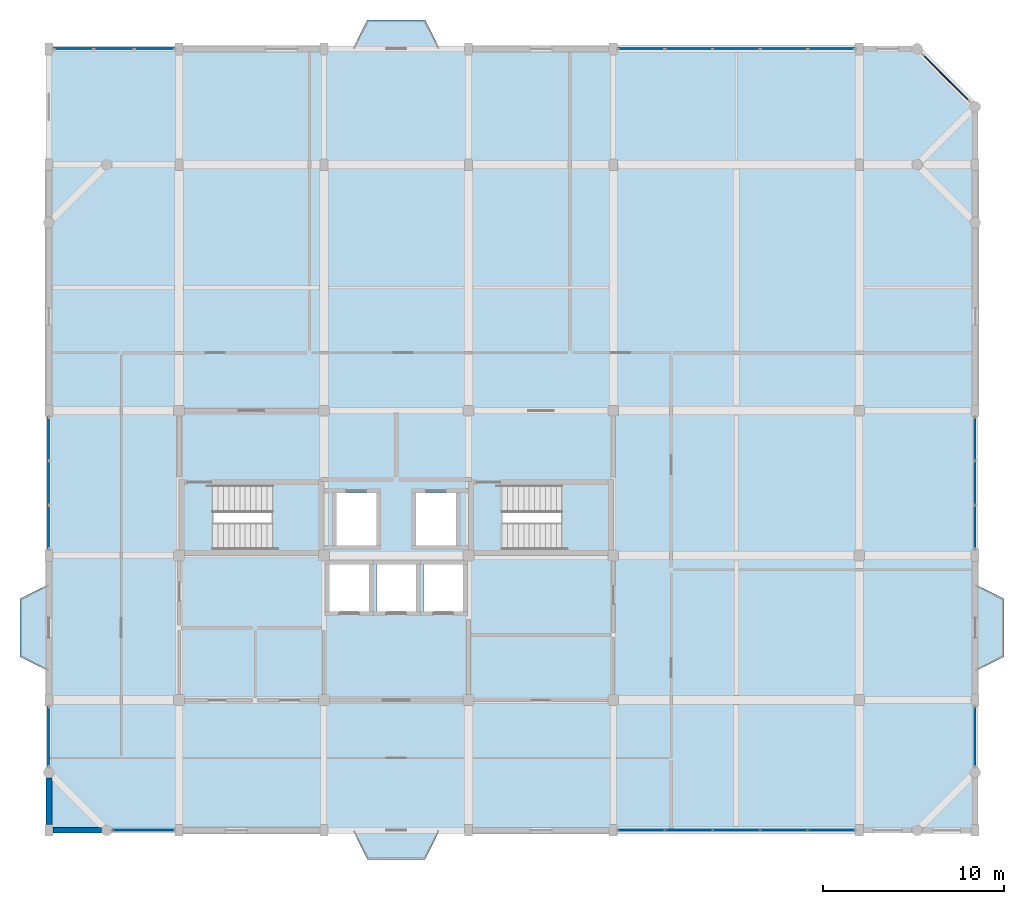
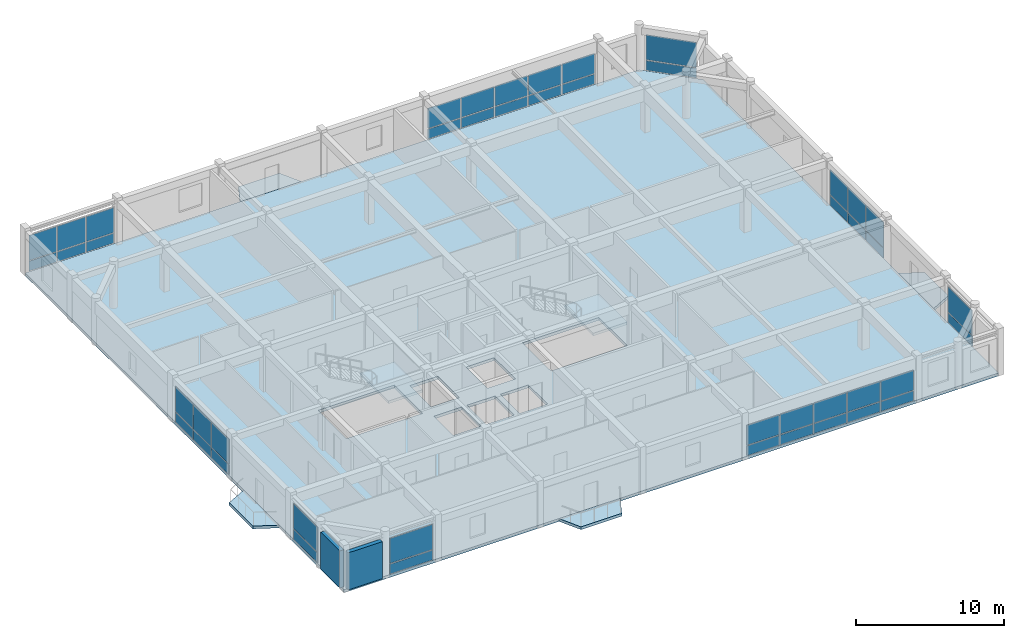
# One storey, part 9 of 13: 46 plates, 7 slabs, 2 walls, 11 elements without a shape of their own.
"""IFC4 building model written with IfcOpenShell, lengths in metres."""

from ifc_helpers import new_model, si_unit, direction, frame, frame_2d, origin, origin_2d, place, context, subcontext, project, spatial, polyline, rectangle, outline, extrude, material, layer, layer_set, type_object, element, aggregate, save


model = new_model("IFC4")

# Units and contexts
model_context = context("Model", 3, precision=1e-05, world=origin(), true_north=direction((0.0, 1.0)))
body_context = subcontext(model_context, "Body", "Model", "MODEL_VIEW")
ifc_project = project(units=[si_unit("LENGTHUNIT", "METRE"), si_unit("AREAUNIT", "SQUARE_METRE"), si_unit("VOLUMEUNIT", "CUBIC_METRE"), si_unit("PLANEANGLEUNIT", "RADIAN"), si_unit("MASSUNIT", "GRAM", prefix="KILO")], contexts=[model_context])

# Site, building, storey
site_placement = place(None, origin())
site = spatial("IfcSite", under=ifc_project, at=site_placement, CompositionType="ELEMENT")
building_placement = place(site_placement, origin())
building = spatial("IfcBuilding", under=site, at=building_placement, Name="Vellmiral Cinema and Media Centre", CompositionType="ELEMENT")
storey_placement = place(building_placement, frame((0.0, 0.0, 54.800048828125)))
storey = spatial("IfcBuildingStorey", under=building, at=storey_placement, Name="L13", CompositionType="ELEMENT", Elevation=54.800048828125)

# Curtain wall, plates
ifc_material_1 = material(Name="Thermally Broken Aluminium and Triple Glazing", Category="aluminium")
curtain_wall_type_1 = type_object("IfcCurtainWallType", Name="CW-TOWER-MID-W", PredefinedType="USERDEFINED", material=ifc_material_1)
curtain_wall_1_placement = place(storey_placement, origin())
curtain_wall_1 = element("IfcCurtainWall", 1, at=curtain_wall_1_placement, inside=storey, type_object=curtain_wall_type_1, Name="Curtain Wall L13-B018", ObjectType="UNITISED CURTAIN WALL", PredefinedType="USERDEFINED")
ifc_material_2 = material(Name="Laminated Studio Acoustic Glazing", Category="glass")
ifc_layer_1 = layer(ifc_material_2, 0.0439453125, Name="Laminated Studio Acoustic Glazing")
ifc_layer_set_1 = layer_set([ifc_layer_1], Name="Laminated Studio Acoustic Glazing")
plate_type_1 = type_object("IfcPlateType", Name="CWP-ACOUST-44", PredefinedType="CURTAIN_PANEL", material=ifc_layer_set_1)
plate_1_placement = place(storey_placement, frame((160.043701171875, 115.199951171875, 0.932373046875), z_axis=(0.0, 0.0, 1.0), x_axis=(-1.0, 0.0, 0.0)))
plate_1 = element("IfcPlate", 2, at=plate_1_placement, type_object=plate_type_1, Name="CW-08 panel 1.2", PredefinedType="CURTAIN_PANEL", context=body_context, shape_type="SweptSolid", body=[
    extrude(rectangle(XDim=2.532470703125, YDim=0.0439453125, at=origin_2d()), origin(), (0.0, 0.0, 1.0), 1.6474609375),
])
plate_2_placement = place(storey_placement, frame((157.429931640625, 115.199951171875, 0.932373046875), z_axis=(0.0, 0.0, 1.0), x_axis=(-1.0, 0.0, 0.0)))
plate_2 = element("IfcPlate", 3, at=plate_2_placement, type_object=plate_type_1, Name="CW-08 panel 2.2", PredefinedType="CURTAIN_PANEL", context=body_context, shape_type="SweptSolid", body=[
    extrude(rectangle(XDim=2.56494140625, YDim=0.0439453125, at=origin_2d()), origin(), (0.0, 0.0, 1.0), 1.6474609375),
])
plate_3_placement = place(storey_placement, frame((154.800048828125, 115.199951171875, 0.932373046875), z_axis=(0.0, 0.0, 1.0), x_axis=(-1.0, 0.0, 0.0)))
plate_3 = element("IfcPlate", 4, at=plate_3_placement, type_object=plate_type_1, Name="CW-08 panel 3.2", PredefinedType="CURTAIN_PANEL", context=body_context, shape_type="SweptSolid", body=[
    extrude(rectangle(XDim=2.56494140625, YDim=0.0439453125, at=origin_2d()), origin(), (0.0, 0.0, 1.0), 1.6474609375),
])
plate_4_placement = place(storey_placement, frame((152.169921875, 115.199951171875, 0.932373046875), z_axis=(0.0, 0.0, 1.0), x_axis=(-1.0, 0.0, 0.0)))
plate_4 = element("IfcPlate", 5, at=plate_4_placement, type_object=plate_type_1, Name="CW-08 panel 4.2", PredefinedType="CURTAIN_PANEL", context=body_context, shape_type="SweptSolid", body=[
    extrude(rectangle(XDim=2.56494140625, YDim=0.0439453125, at=origin_2d()), origin(), (0.0, 0.0, 1.0), 1.6474609375),
])
plate_5_placement = place(storey_placement, frame((149.55615234375, 115.199951171875, 0.932373046875), z_axis=(0.0, 0.0, 1.0), x_axis=(-1.0, 0.0, 0.0)))
plate_5 = element("IfcPlate", 6, at=plate_5_placement, type_object=plate_type_1, Name="CW-08 panel 5.2", PredefinedType="CURTAIN_PANEL", context=body_context, shape_type="SweptSolid", body=[
    extrude(rectangle(XDim=2.532470703125, YDim=0.0439453125, at=origin_2d()), origin(), (0.0, 0.0, 1.0), 1.6474609375),
])

curtain_wall_2_placement = place(storey_placement, origin())
curtain_wall_2 = element("IfcCurtainWall", 7, at=curtain_wall_2_placement, inside=storey, type_object=curtain_wall_type_1, Name="Curtain Wall L13-B022", ObjectType="UNITISED CURTAIN WALL", PredefinedType="USERDEFINED")
plate_6_placement = place(storey_placement, frame((122.6337890625, 115.199951171875, 0.932373046875), z_axis=(0.0, 0.0, 1.0), x_axis=(-1.0, 0.0, 0.0)))
plate_6 = element("IfcPlate", 8, at=plate_6_placement, type_object=plate_type_1, Name="CW-08 panel 1.2", PredefinedType="CURTAIN_PANEL", context=body_context, shape_type="SweptSolid", body=[
    extrude(rectangle(XDim=2.152587890625, YDim=0.0439453125, at=origin_2d()), origin(), (0.0, 0.0, 1.0), 2.0625),
])
plate_7_placement = place(storey_placement, frame((120.39990234375, 115.199951171875, 0.932373046875), z_axis=(0.0, 0.0, 1.0), x_axis=(-1.0, 0.0, 0.0)))
plate_7 = element("IfcPlate", 9, at=plate_7_placement, type_object=plate_type_1, Name="CW-08 panel 2.2", PredefinedType="CURTAIN_PANEL", context=body_context, shape_type="SweptSolid", body=[
    extrude(rectangle(XDim=2.18505859375, YDim=0.0439453125, at=origin_2d()), origin(), (0.0, 0.0, 1.0), 2.0625),
])
plate_8_placement = place(storey_placement, frame((118.166259765625, 115.199951171875, 0.932373046875), z_axis=(0.0, 0.0, 1.0), x_axis=(-1.0, 0.0, 0.0)))
plate_8 = element("IfcPlate", 10, at=plate_8_placement, type_object=plate_type_1, Name="CW-08 panel 3.2", PredefinedType="CURTAIN_PANEL", context=body_context, shape_type="SweptSolid", body=[
    extrude(rectangle(XDim=2.152587890625, YDim=0.0439453125, at=origin_2d()), origin(), (0.0, 0.0, 1.0), 2.0625),
])

curtain_wall_3_placement = place(storey_placement, origin())
curtain_wall_3 = element("IfcCurtainWall", 11, at=curtain_wall_3_placement, inside=storey, type_object=curtain_wall_type_1, Name="Curtain Wall L13-B026", ObjectType="UNITISED CURTAIN WALL", PredefinedType="USERDEFINED")
plate_9_placement = place(storey_placement, frame((116.800048828125, 93.6337890625, 0.932373046875), z_axis=(0.0, 0.0, 1.0), x_axis=(0.0, -1.0, 0.0)))
plate_9 = element("IfcPlate", 12, at=plate_9_placement, type_object=plate_type_1, Name="CW-08 panel 1.2", PredefinedType="CURTAIN_PANEL", context=body_context, shape_type="SweptSolid", body=[
    extrude(rectangle(XDim=2.3525390625, YDim=0.0439453125, at=origin_2d()), origin(), (0.0, 0.0, 1.0), 2.0625),
])
plate_10_placement = place(storey_placement, frame((116.800048828125, 91.199951171875, 0.932373046875), z_axis=(0.0, 0.0, 1.0), x_axis=(0.0, -1.0, 0.0)))
plate_10 = element("IfcPlate", 13, at=plate_10_placement, type_object=plate_type_1, Name="CW-08 panel 2.2", PredefinedType="CURTAIN_PANEL", context=body_context, shape_type="SweptSolid", body=[
    extrude(rectangle(XDim=2.385009765625, YDim=0.0439453125, at=origin_2d()), origin(), (0.0, 0.0, 1.0), 2.0625),
])
plate_11_placement = place(storey_placement, frame((116.800048828125, 88.766357421875, 0.932373046875), z_axis=(0.0, 0.0, 1.0), x_axis=(0.0, -1.0, 0.0)))
plate_11 = element("IfcPlate", 14, at=plate_11_placement, type_object=plate_type_1, Name="CW-08 panel 3.2", PredefinedType="CURTAIN_PANEL", context=body_context, shape_type="SweptSolid", body=[
    extrude(rectangle(XDim=2.3525390625, YDim=0.0439453125, at=origin_2d()), origin(), (0.0, 0.0, 1.0), 2.0625),
])

# Curtain wall, plate
curtain_wall_4_placement = place(storey_placement, origin())
curtain_wall_4 = element("IfcCurtainWall", 15, at=curtain_wall_4_placement, inside=storey, type_object=curtain_wall_type_1, Name="Curtain Wall L13-B028", ObjectType="UNITISED CURTAIN WALL", PredefinedType="USERDEFINED")
plate_12_placement = place(storey_placement, frame((116.800048828125, 77.1875, 0.932373046875), z_axis=(0.0, 0.0, 1.0), x_axis=(0.0, -1.0, 0.0)))
plate_12 = element("IfcPlate", 16, at=plate_12_placement, type_object=plate_type_1, Name="CW-08 panel 1.2", PredefinedType="CURTAIN_PANEL", context=body_context, shape_type="SweptSolid", body=[
    extrude(rectangle(XDim=3.2451171875, YDim=0.0439453125, at=origin_2d()), origin(), (0.0, 0.0, 1.0), 2.0625),
])

ifc_material_3 = material(Name="Thermally Broken Aluminium and Triple Glazing", Category="aluminium")
curtain_wall_type_2 = type_object("IfcCurtainWallType", Name="CW-TOWER-MID-E", PredefinedType="USERDEFINED", material=ifc_material_3)
curtain_wall_5_placement = place(storey_placement, origin())
curtain_wall_5 = element("IfcCurtainWall", 17, at=curtain_wall_5_placement, inside=storey, type_object=curtain_wall_type_2, Name="Curtain Wall L13-B002", ObjectType="UNITISED CURTAIN WALL", PredefinedType="USERDEFINED")
ifc_material_4 = material(Name="Honed Vosges Sandstone Spandrel Panel", Category="masonry")
ifc_layer_2 = layer(ifc_material_4, 0.06005859375, Name="Honed Vosges Sandstone Spandrel Panel")
ifc_layer_set_2 = layer_set([ifc_layer_2], Name="Honed Vosges Sandstone Spandrel Panel")
plate_type_2 = type_object("IfcPlateType", Name="CWP-SAND-60", PredefinedType="CURTAIN_PANEL", material=ifc_layer_set_2)
plate_13_placement = place(storey_placement, frame((122.03759765625, 72.0, 0.06494140625), z_axis=(0.0, 0.0, 1.0), x_axis=(1.0, 0.0, 0.0)))
plate_13 = element("IfcPlate", 18, at=plate_13_placement, type_object=plate_type_2, Name="CW-07 panel 1.1", PredefinedType="CURTAIN_PANEL", context=body_context, shape_type="SweptSolid", body=[
    extrude(rectangle(XDim=3.344970703125, YDim=0.06005859375, at=origin_2d()), origin(), (0.0, 0.0, 1.0), 0.802490234375),
])

# Curtain wall, plates
curtain_wall_6_placement = place(storey_placement, origin())
curtain_wall_6 = element("IfcCurtainWall", 19, at=curtain_wall_6_placement, inside=storey, type_object=curtain_wall_type_2, Name="Curtain Wall L13-B006", ObjectType="UNITISED CURTAIN WALL", PredefinedType="USERDEFINED")
plate_14_placement = place(storey_placement, frame((149.55615234375, 72.0, 0.06494140625), z_axis=(0.0, 0.0, 1.0), x_axis=(1.0, 0.0, 0.0)))
plate_14 = element("IfcPlate", 20, at=plate_14_placement, type_object=plate_type_2, Name="CW-07 panel 1.1", PredefinedType="CURTAIN_PANEL", context=body_context, shape_type="SweptSolid", body=[
    extrude(rectangle(XDim=2.532470703125, YDim=0.06005859375, at=origin_2d()), origin(), (0.0, 0.0, 1.0), 0.802490234375),
])
plate_15_placement = place(storey_placement, frame((152.169921875, 72.0, 0.06494140625), z_axis=(0.0, 0.0, 1.0), x_axis=(1.0, 0.0, 0.0)))
plate_15 = element("IfcPlate", 21, at=plate_15_placement, type_object=plate_type_2, Name="CW-07 panel 2.1", PredefinedType="CURTAIN_PANEL", context=body_context, shape_type="SweptSolid", body=[
    extrude(rectangle(XDim=2.56494140625, YDim=0.06005859375, at=origin_2d()), origin(), (0.0, 0.0, 1.0), 0.802490234375),
])
plate_16_placement = place(storey_placement, frame((154.800048828125, 72.0, 0.06494140625), z_axis=(0.0, 0.0, 1.0), x_axis=(1.0, 0.0, 0.0)))
plate_16 = element("IfcPlate", 22, at=plate_16_placement, type_object=plate_type_2, Name="CW-07 panel 3.1", PredefinedType="CURTAIN_PANEL", context=body_context, shape_type="SweptSolid", body=[
    extrude(rectangle(XDim=2.56494140625, YDim=0.06005859375, at=origin_2d()), origin(), (0.0, 0.0, 1.0), 0.802490234375),
])
plate_17_placement = place(storey_placement, frame((157.429931640625, 72.0, 0.06494140625), z_axis=(0.0, 0.0, 1.0), x_axis=(1.0, 0.0, 0.0)))
plate_17 = element("IfcPlate", 23, at=plate_17_placement, type_object=plate_type_2, Name="CW-07 panel 4.1", PredefinedType="CURTAIN_PANEL", context=body_context, shape_type="SweptSolid", body=[
    extrude(rectangle(XDim=2.56494140625, YDim=0.06005859375, at=origin_2d()), origin(), (0.0, 0.0, 1.0), 0.802490234375),
])
plate_18_placement = place(storey_placement, frame((160.043701171875, 72.0, 0.06494140625), z_axis=(0.0, 0.0, 1.0), x_axis=(1.0, 0.0, 0.0)))
plate_18 = element("IfcPlate", 24, at=plate_18_placement, type_object=plate_type_2, Name="CW-07 panel 5.1", PredefinedType="CURTAIN_PANEL", context=body_context, shape_type="SweptSolid", body=[
    extrude(rectangle(XDim=2.532470703125, YDim=0.06005859375, at=origin_2d()), origin(), (0.0, 0.0, 1.0), 0.802490234375),
])

# Curtain wall, plate
curtain_wall_7_placement = place(storey_placement, origin())
curtain_wall_7 = element("IfcCurtainWall", 25, at=curtain_wall_7_placement, inside=storey, type_object=curtain_wall_type_2, Name="Curtain Wall L13-B010", ObjectType="UNITISED CURTAIN WALL", PredefinedType="USERDEFINED")
plate_19_placement = place(storey_placement, frame((168.0, 77.1875, 0.06494140625), z_axis=(0.0, 0.0, 1.0), x_axis=(0.0, 1.0, 0.0)))
plate_19 = element("IfcPlate", 26, at=plate_19_placement, type_object=plate_type_2, Name="CW-07 panel 1.1", PredefinedType="CURTAIN_PANEL", context=body_context, shape_type="SweptSolid", body=[
    extrude(rectangle(XDim=3.2451171875, YDim=0.06005859375, at=origin_2d()), origin(), (0.0, 0.0, 1.0), 0.802490234375),
])

# Curtain wall, plates
curtain_wall_8_placement = place(storey_placement, origin())
curtain_wall_8 = element("IfcCurtainWall", 27, at=curtain_wall_8_placement, inside=storey, type_object=curtain_wall_type_2, Name="Curtain Wall L13-B012", ObjectType="UNITISED CURTAIN WALL", PredefinedType="USERDEFINED")
plate_20_placement = place(storey_placement, frame((168.0, 88.766357421875, 0.06494140625), z_axis=(0.0, 0.0, 1.0), x_axis=(0.0, 1.0, 0.0)))
plate_20 = element("IfcPlate", 28, at=plate_20_placement, type_object=plate_type_2, Name="CW-07 panel 1.1", PredefinedType="CURTAIN_PANEL", context=body_context, shape_type="SweptSolid", body=[
    extrude(rectangle(XDim=2.3525390625, YDim=0.06005859375, at=origin_2d()), origin(), (0.0, 0.0, 1.0), 0.802490234375),
])
plate_21_placement = place(storey_placement, frame((168.0, 91.199951171875, 0.06494140625), z_axis=(0.0, 0.0, 1.0), x_axis=(0.0, 1.0, 0.0)))
plate_21 = element("IfcPlate", 29, at=plate_21_placement, type_object=plate_type_2, Name="CW-07 panel 2.1", PredefinedType="CURTAIN_PANEL", context=body_context, shape_type="SweptSolid", body=[
    extrude(rectangle(XDim=2.385009765625, YDim=0.06005859375, at=origin_2d()), origin(), (0.0, 0.0, 1.0), 0.802490234375),
])
plate_22_placement = place(storey_placement, frame((168.0, 93.6337890625, 0.06494140625), z_axis=(0.0, 0.0, 1.0), x_axis=(0.0, 1.0, 0.0)))
plate_22 = element("IfcPlate", 30, at=plate_22_placement, type_object=plate_type_2, Name="CW-07 panel 3.1", PredefinedType="CURTAIN_PANEL", context=body_context, shape_type="SweptSolid", body=[
    extrude(rectangle(XDim=2.3525390625, YDim=0.06005859375, at=origin_2d()), origin(), (0.0, 0.0, 1.0), 0.802490234375),
])

# Curtain wall, plate
curtain_wall_9_placement = place(storey_placement, origin())
curtain_wall_9 = element("IfcCurtainWall", 31, at=curtain_wall_9_placement, inside=storey, type_object=curtain_wall_type_2, Name="Curtain Wall L13-B016", ObjectType="UNITISED CURTAIN WALL", PredefinedType="USERDEFINED")
plate_23_placement = place(storey_placement, frame((166.39990234375, 113.60009765625, 0.06494140625), z_axis=(0.0, 0.0, 1.0), x_axis=(-0.707106781187, 0.707106781187, 0.0)))
plate_23 = element("IfcPlate", 32, at=plate_23_placement, type_object=plate_type_2, Name="CW-07 panel 1.1", PredefinedType="CURTAIN_PANEL", context=body_context, shape_type="SweptSolid", body=[
    extrude(rectangle(XDim=3.546875, YDim=0.06005859375, at=origin_2d()), origin(), (0.0, 0.0, 1.0), 0.802490234375),
])

# Plate
ifc_material_5 = material(Name="Solar-Control Acoustic Triple Glazing", Category="glass")
ifc_layer_3 = layer(ifc_material_5, 0.0419921875, Name="Solar-Control Acoustic Triple Glazing")
ifc_layer_set_3 = layer_set([ifc_layer_3], Name="Solar-Control Acoustic Triple Glazing")
plate_type_3 = type_object("IfcPlateType", Name="CWP-SOLAR-42", PredefinedType="CURTAIN_PANEL", material=ifc_layer_set_3)
plate_24_placement = place(storey_placement, frame((122.03759765625, 72.0, 0.932373046875), z_axis=(0.0, 0.0, 1.0), x_axis=(1.0, 0.0, 0.0)))
plate_24 = element("IfcPlate", 33, at=plate_24_placement, type_object=plate_type_3, Name="CW-07 panel 1.2", PredefinedType="CURTAIN_PANEL", context=body_context, shape_type="SweptSolid", body=[
    extrude(rectangle(XDim=3.344970703125, YDim=0.0419921875, at=origin_2d()), origin(), (0.0, 0.0, 1.0), 2.0625),
])

aggregate(curtain_wall_5, [plate_13, plate_24])

plate_25_placement = place(storey_placement, frame((149.55615234375, 72.0, 0.932373046875), z_axis=(0.0, 0.0, 1.0), x_axis=(1.0, 0.0, 0.0)))
plate_25 = element("IfcPlate", 34, at=plate_25_placement, type_object=plate_type_3, Name="CW-07 panel 1.2", PredefinedType="CURTAIN_PANEL", context=body_context, shape_type="SweptSolid", body=[
    extrude(rectangle(XDim=2.532470703125, YDim=0.0419921875, at=origin_2d()), origin(), (0.0, 0.0, 1.0), 1.6474609375),
])

plate_26_placement = place(storey_placement, frame((152.169921875, 72.0, 0.932373046875), z_axis=(0.0, 0.0, 1.0), x_axis=(1.0, 0.0, 0.0)))
plate_26 = element("IfcPlate", 35, at=plate_26_placement, type_object=plate_type_3, Name="CW-07 panel 2.2", PredefinedType="CURTAIN_PANEL", context=body_context, shape_type="SweptSolid", body=[
    extrude(rectangle(XDim=2.56494140625, YDim=0.0419921875, at=origin_2d()), origin(), (0.0, 0.0, 1.0), 1.6474609375),
])

plate_27_placement = place(storey_placement, frame((154.800048828125, 72.0, 0.932373046875), z_axis=(0.0, 0.0, 1.0), x_axis=(1.0, 0.0, 0.0)))
plate_27 = element("IfcPlate", 36, at=plate_27_placement, type_object=plate_type_3, Name="CW-07 panel 3.2", PredefinedType="CURTAIN_PANEL", context=body_context, shape_type="SweptSolid", body=[
    extrude(rectangle(XDim=2.56494140625, YDim=0.0419921875, at=origin_2d()), origin(), (0.0, 0.0, 1.0), 1.6474609375),
])

plate_28_placement = place(storey_placement, frame((157.429931640625, 72.0, 0.932373046875), z_axis=(0.0, 0.0, 1.0), x_axis=(1.0, 0.0, 0.0)))
plate_28 = element("IfcPlate", 37, at=plate_28_placement, type_object=plate_type_3, Name="CW-07 panel 4.2", PredefinedType="CURTAIN_PANEL", context=body_context, shape_type="SweptSolid", body=[
    extrude(rectangle(XDim=2.56494140625, YDim=0.0419921875, at=origin_2d()), origin(), (0.0, 0.0, 1.0), 1.6474609375),
])

plate_29_placement = place(storey_placement, frame((160.043701171875, 72.0, 0.932373046875), z_axis=(0.0, 0.0, 1.0), x_axis=(1.0, 0.0, 0.0)))
plate_29 = element("IfcPlate", 38, at=plate_29_placement, type_object=plate_type_3, Name="CW-07 panel 5.2", PredefinedType="CURTAIN_PANEL", context=body_context, shape_type="SweptSolid", body=[
    extrude(rectangle(XDim=2.532470703125, YDim=0.0419921875, at=origin_2d()), origin(), (0.0, 0.0, 1.0), 1.6474609375),
])

aggregate(curtain_wall_6, [plate_14, plate_25, plate_15, plate_26, plate_16, plate_27, plate_17, plate_28, plate_18, plate_29])

plate_30_placement = place(storey_placement, frame((168.0, 77.1875, 0.932373046875), z_axis=(0.0, 0.0, 1.0), x_axis=(0.0, 1.0, 0.0)))
plate_30 = element("IfcPlate", 39, at=plate_30_placement, type_object=plate_type_3, Name="CW-07 panel 1.2", PredefinedType="CURTAIN_PANEL", context=body_context, shape_type="SweptSolid", body=[
    extrude(rectangle(XDim=3.2451171875, YDim=0.0419921875, at=origin_2d()), origin(), (0.0, 0.0, 1.0), 2.0625),
])

aggregate(curtain_wall_7, [plate_19, plate_30])

plate_31_placement = place(storey_placement, frame((168.0, 88.766357421875, 0.932373046875), z_axis=(0.0, 0.0, 1.0), x_axis=(0.0, 1.0, 0.0)))
plate_31 = element("IfcPlate", 40, at=plate_31_placement, type_object=plate_type_3, Name="CW-07 panel 1.2", PredefinedType="CURTAIN_PANEL", context=body_context, shape_type="SweptSolid", body=[
    extrude(rectangle(XDim=2.3525390625, YDim=0.0419921875, at=origin_2d()), origin(), (0.0, 0.0, 1.0), 2.0625),
])

plate_32_placement = place(storey_placement, frame((168.0, 91.199951171875, 0.932373046875), z_axis=(0.0, 0.0, 1.0), x_axis=(0.0, 1.0, 0.0)))
plate_32 = element("IfcPlate", 41, at=plate_32_placement, type_object=plate_type_3, Name="CW-07 panel 2.2", PredefinedType="CURTAIN_PANEL", context=body_context, shape_type="SweptSolid", body=[
    extrude(rectangle(XDim=2.385009765625, YDim=0.0419921875, at=origin_2d()), origin(), (0.0, 0.0, 1.0), 2.0625),
])

plate_33_placement = place(storey_placement, frame((168.0, 93.6337890625, 0.932373046875), z_axis=(0.0, 0.0, 1.0), x_axis=(0.0, 1.0, 0.0)))
plate_33 = element("IfcPlate", 42, at=plate_33_placement, type_object=plate_type_3, Name="CW-07 panel 3.2", PredefinedType="CURTAIN_PANEL", context=body_context, shape_type="SweptSolid", body=[
    extrude(rectangle(XDim=2.3525390625, YDim=0.0419921875, at=origin_2d()), origin(), (0.0, 0.0, 1.0), 2.0625),
])

aggregate(curtain_wall_8, [plate_20, plate_31, plate_21, plate_32, plate_22, plate_33])

plate_34_placement = place(storey_placement, frame((166.39990234375, 113.60009765625, 0.932373046875), z_axis=(0.0, 0.0, 1.0), x_axis=(-0.707106781187, 0.707106781187, 0.0)))
plate_34 = element("IfcPlate", 43, at=plate_34_placement, type_object=plate_type_3, Name="CW-07 panel 1.2", PredefinedType="CURTAIN_PANEL", context=body_context, shape_type="SweptSolid", body=[
    extrude(rectangle(XDim=3.546875, YDim=0.0419921875, at=origin_2d()), origin(), (0.0, 0.0, 1.0), 2.0625),
])

aggregate(curtain_wall_9, [plate_23, plate_34])

ifc_material_6 = material(Name="Polychrome Trencadis Ceramic Spandrel Panel", Category="ceramic")
ifc_layer_4 = layer(ifc_material_6, 0.052001953125, Name="Polychrome Trencadis Ceramic Spandrel Panel")
ifc_layer_set_4 = layer_set([ifc_layer_4], Name="Polychrome Trencadis Ceramic Spandrel Panel")
plate_type_4 = type_object("IfcPlateType", Name="CWP-TRENC-52", PredefinedType="CURTAIN_PANEL", material=ifc_layer_set_4)
plate_35_placement = place(storey_placement, frame((160.043701171875, 115.199951171875, 0.06494140625), z_axis=(0.0, 0.0, 1.0), x_axis=(-1.0, 0.0, 0.0)))
plate_35 = element("IfcPlate", 44, at=plate_35_placement, type_object=plate_type_4, Name="CW-08 panel 1.1", PredefinedType="CURTAIN_PANEL", context=body_context, shape_type="SweptSolid", body=[
    extrude(rectangle(XDim=2.532470703125, YDim=0.052001953125, at=origin_2d()), origin(), (0.0, 0.0, 1.0), 0.802490234375),
])

plate_36_placement = place(storey_placement, frame((157.429931640625, 115.199951171875, 0.06494140625), z_axis=(0.0, 0.0, 1.0), x_axis=(-1.0, 0.0, 0.0)))
plate_36 = element("IfcPlate", 45, at=plate_36_placement, type_object=plate_type_4, Name="CW-08 panel 2.1", PredefinedType="CURTAIN_PANEL", context=body_context, shape_type="SweptSolid", body=[
    extrude(rectangle(XDim=2.56494140625, YDim=0.052001953125, at=origin_2d()), origin(), (0.0, 0.0, 1.0), 0.802490234375),
])

plate_37_placement = place(storey_placement, frame((154.800048828125, 115.199951171875, 0.06494140625), z_axis=(0.0, 0.0, 1.0), x_axis=(-1.0, 0.0, 0.0)))
plate_37 = element("IfcPlate", 46, at=plate_37_placement, type_object=plate_type_4, Name="CW-08 panel 3.1", PredefinedType="CURTAIN_PANEL", context=body_context, shape_type="SweptSolid", body=[
    extrude(rectangle(XDim=2.56494140625, YDim=0.052001953125, at=origin_2d()), origin(), (0.0, 0.0, 1.0), 0.802490234375),
])

plate_38_placement = place(storey_placement, frame((152.169921875, 115.199951171875, 0.06494140625), z_axis=(0.0, 0.0, 1.0), x_axis=(-1.0, 0.0, 0.0)))
plate_38 = element("IfcPlate", 47, at=plate_38_placement, type_object=plate_type_4, Name="CW-08 panel 4.1", PredefinedType="CURTAIN_PANEL", context=body_context, shape_type="SweptSolid", body=[
    extrude(rectangle(XDim=2.56494140625, YDim=0.052001953125, at=origin_2d()), origin(), (0.0, 0.0, 1.0), 0.802490234375),
])

plate_39_placement = place(storey_placement, frame((149.55615234375, 115.199951171875, 0.06494140625), z_axis=(0.0, 0.0, 1.0), x_axis=(-1.0, 0.0, 0.0)))
plate_39 = element("IfcPlate", 48, at=plate_39_placement, type_object=plate_type_4, Name="CW-08 panel 5.1", PredefinedType="CURTAIN_PANEL", context=body_context, shape_type="SweptSolid", body=[
    extrude(rectangle(XDim=2.532470703125, YDim=0.052001953125, at=origin_2d()), origin(), (0.0, 0.0, 1.0), 0.802490234375),
])

aggregate(curtain_wall_1, [plate_35, plate_1, plate_36, plate_2, plate_37, plate_3, plate_38, plate_4, plate_39, plate_5])

plate_40_placement = place(storey_placement, frame((122.6337890625, 115.199951171875, 0.06494140625), z_axis=(0.0, 0.0, 1.0), x_axis=(-1.0, 0.0, 0.0)))
plate_40 = element("IfcPlate", 49, at=plate_40_placement, type_object=plate_type_4, Name="CW-08 panel 1.1", PredefinedType="CURTAIN_PANEL", context=body_context, shape_type="SweptSolid", body=[
    extrude(rectangle(XDim=2.152587890625, YDim=0.052001953125, at=origin_2d()), origin(), (0.0, 0.0, 1.0), 0.802490234375),
])

plate_41_placement = place(storey_placement, frame((120.39990234375, 115.199951171875, 0.06494140625), z_axis=(0.0, 0.0, 1.0), x_axis=(-1.0, 0.0, 0.0)))
plate_41 = element("IfcPlate", 50, at=plate_41_placement, type_object=plate_type_4, Name="CW-08 panel 2.1", PredefinedType="CURTAIN_PANEL", context=body_context, shape_type="SweptSolid", body=[
    extrude(rectangle(XDim=2.18505859375, YDim=0.052001953125, at=origin_2d()), origin(), (0.0, 0.0, 1.0), 0.802490234375),
])

plate_42_placement = place(storey_placement, frame((118.166259765625, 115.199951171875, 0.06494140625), z_axis=(0.0, 0.0, 1.0), x_axis=(-1.0, 0.0, 0.0)))
plate_42 = element("IfcPlate", 51, at=plate_42_placement, type_object=plate_type_4, Name="CW-08 panel 3.1", PredefinedType="CURTAIN_PANEL", context=body_context, shape_type="SweptSolid", body=[
    extrude(rectangle(XDim=2.152587890625, YDim=0.052001953125, at=origin_2d()), origin(), (0.0, 0.0, 1.0), 0.802490234375),
])

aggregate(curtain_wall_2, [plate_40, plate_6, plate_41, plate_7, plate_42, plate_8])

plate_43_placement = place(storey_placement, frame((116.800048828125, 93.6337890625, 0.06494140625), z_axis=(0.0, 0.0, 1.0), x_axis=(0.0, -1.0, 0.0)))
plate_43 = element("IfcPlate", 52, at=plate_43_placement, type_object=plate_type_4, Name="CW-08 panel 1.1", PredefinedType="CURTAIN_PANEL", context=body_context, shape_type="SweptSolid", body=[
    extrude(rectangle(XDim=2.3525390625, YDim=0.052001953125, at=origin_2d()), origin(), (0.0, 0.0, 1.0), 0.802490234375),
])

plate_44_placement = place(storey_placement, frame((116.800048828125, 91.199951171875, 0.06494140625), z_axis=(0.0, 0.0, 1.0), x_axis=(0.0, -1.0, 0.0)))
plate_44 = element("IfcPlate", 53, at=plate_44_placement, type_object=plate_type_4, Name="CW-08 panel 2.1", PredefinedType="CURTAIN_PANEL", context=body_context, shape_type="SweptSolid", body=[
    extrude(rectangle(XDim=2.385009765625, YDim=0.052001953125, at=origin_2d()), origin(), (0.0, 0.0, 1.0), 0.802490234375),
])

plate_45_placement = place(storey_placement, frame((116.800048828125, 88.766357421875, 0.06494140625), z_axis=(0.0, 0.0, 1.0), x_axis=(0.0, -1.0, 0.0)))
plate_45 = element("IfcPlate", 54, at=plate_45_placement, type_object=plate_type_4, Name="CW-08 panel 3.1", PredefinedType="CURTAIN_PANEL", context=body_context, shape_type="SweptSolid", body=[
    extrude(rectangle(XDim=2.3525390625, YDim=0.052001953125, at=origin_2d()), origin(), (0.0, 0.0, 1.0), 0.802490234375),
])

aggregate(curtain_wall_3, [plate_43, plate_9, plate_44, plate_10, plate_45, plate_11])

plate_46_placement = place(storey_placement, frame((116.800048828125, 77.1875, 0.06494140625), z_axis=(0.0, 0.0, 1.0), x_axis=(0.0, -1.0, 0.0)))
plate_46 = element("IfcPlate", 55, at=plate_46_placement, type_object=plate_type_4, Name="CW-08 panel 1.1", PredefinedType="CURTAIN_PANEL", context=body_context, shape_type="SweptSolid", body=[
    extrude(rectangle(XDim=3.2451171875, YDim=0.052001953125, at=origin_2d()), origin(), (0.0, 0.0, 1.0), 0.802490234375),
])

aggregate(curtain_wall_4, [plate_46, plate_12])

# Slab
ifc_material_7 = material(Name="Concrete C40/50", Category="concrete")
ifc_layer_5 = layer(ifc_material_7, 0.239990234375, Name="Concrete C40/50")
ifc_layer_set_5 = layer_set([ifc_layer_5], Name="Concrete C40/50")
slab_type_1 = type_object("IfcSlabType", Name="SLB-FLR-240", PredefinedType="FLOOR", material=ifc_layer_set_5)
slab_1_placement = place(storey_placement, frame((0.0, 0.0, -0.239990234375)))
element("IfcSlab", 56, at=slab_1_placement, inside=storey, type_object=slab_type_1, Name="L13 Structural Slab", PredefinedType="FLOOR", context=body_context, shape_type="SweptSolid", body=[
    extrude(outline(polyline([(116.800048828125, 72.0), (168.0, 72.0), (168.0, 112.0), (164.800048828125, 115.199951171875), (116.800048828125, 115.199951171875), (116.800048828125, 72.0)]), holes=[polyline([(125.85009765625, 87.3798828125), (131.820068359375, 87.3798828125), (131.820068359375, 91.219970703125), (125.85009765625, 91.219970703125), (125.85009765625, 87.3798828125)]), polyline([(141.85009765625, 87.3798828125), (147.820068359375, 87.3798828125), (147.820068359375, 91.219970703125), (141.85009765625, 91.219970703125), (141.85009765625, 87.3798828125)]), polyline([(132.699951171875, 87.75), (134.89990234375, 87.75), (134.89990234375, 90.64990234375), (132.699951171875, 90.64990234375), (132.699951171875, 87.75)]), polyline([(137.10009765625, 87.75), (139.300048828125, 87.75), (139.300048828125, 90.64990234375), (137.10009765625, 90.64990234375), (137.10009765625, 87.75)]), polyline([(132.300048828125, 84.10009765625), (134.5, 84.10009765625), (134.5, 86.699951171875), (132.300048828125, 86.699951171875), (132.300048828125, 84.10009765625)]), polyline([(134.89990234375, 84.10009765625), (137.10009765625, 84.10009765625), (137.10009765625, 86.699951171875), (134.89990234375, 86.699951171875), (134.89990234375, 84.10009765625)]), polyline([(137.5, 84.10009765625), (139.699951171875, 84.10009765625), (139.699951171875, 86.699951171875), (137.5, 86.699951171875), (137.5, 84.10009765625)])]), origin(), (0.0, 0.0, 1.0), 0.239990234375),
])

# Stair, slab
ifc_material_8 = material(Name="Concrete C40/50", Category="concrete")
stair_type = type_object("IfcStairType", Name="ST-2RET-390", PredefinedType="HALF_TURN_STAIR", material=ifc_material_8)
stair_1_placement = place(storey_placement, origin())
stair_1 = element("IfcStair", 57, at=stair_1_placement, inside=storey, type_object=stair_type, Name="Protected Escape Stair ST-T1 (L13)", PredefinedType="HALF_TURN_STAIR")
ifc_material_9 = material(Name="Concrete C40/50", Category="concrete")
ifc_layer_6 = layer(ifc_material_9, 0.219970703125, Name="Concrete C40/50")
ifc_layer_set_6 = layer_set([ifc_layer_6], Name="Concrete C40/50")
slab_type_2 = type_object("IfcSlabType", Name="SLB-LAND-220", PredefinedType="LANDING", material=ifc_layer_set_6)
slab_2_placement = place(storey_placement, frame((0.0, 0.0, 1.72998046875)))
slab_2 = element("IfcSlab", 58, at=slab_2_placement, type_object=slab_type_2, Name="ST-T1 landing 1", PredefinedType="LANDING", context=body_context, shape_type="SweptSolid", body=[
    extrude(outline(polyline([(129.14990234375, 87.3798828125), (131.820068359375, 87.3798828125), (131.820068359375, 91.219970703125), (129.14990234375, 91.219970703125), (129.14990234375, 87.3798828125)])), origin(), (0.0, 0.0, 1.0), 0.219970703125),
])
aggregate(stair_1, [slab_2])

stair_2_placement = place(storey_placement, origin())
stair_2 = element("IfcStair", 59, at=stair_2_placement, inside=storey, type_object=stair_type, Name="Protected Escape Stair ST-T2 (L13)", PredefinedType="HALF_TURN_STAIR")
slab_3_placement = place(storey_placement, frame((0.0, 0.0, 1.72998046875)))
slab_3 = element("IfcSlab", 60, at=slab_3_placement, type_object=slab_type_2, Name="ST-T2 landing 1", PredefinedType="LANDING", context=body_context, shape_type="SweptSolid", body=[
    extrude(outline(polyline([(145.14990234375, 87.3798828125), (147.820068359375, 87.3798828125), (147.820068359375, 91.219970703125), (145.14990234375, 91.219970703125), (145.14990234375, 87.3798828125)])), origin(), (0.0, 0.0, 1.0), 0.219970703125),
])
aggregate(stair_2, [slab_3])

# Slabs
ifc_material_10 = material(Name="Concrete C40/50", Category="concrete")
ifc_layer_7 = layer(ifc_material_10, 0.22998046875, Name="Concrete C40/50")
ifc_layer_set_7 = layer_set([ifc_layer_7], Name="Concrete C40/50")
slab_type_3 = type_object("IfcSlabType", Name="SLB-MIRA-230", PredefinedType="FLOOR", material=ifc_layer_set_7)
slab_4_placement = place(storey_placement, frame((0.0, 0.0, -0.22998046875)))
element("IfcSlab", 61, at=slab_4_placement, inside=storey, type_object=slab_type_3, Name="Catalan Mirador Balcony L13-E", PredefinedType="FLOOR", context=body_context, shape_type="SweptSolid", body=[
    extrude(outline(polyline([(168.0, 80.800048828125), (169.60009765625, 81.60009765625), (169.60009765625, 84.800048828125), (168.0, 85.60009765625), (168.0, 80.800048828125)])), origin(), (0.0, 0.0, 1.0), 0.22998046875),
])
slab_5_placement = place(storey_placement, frame((0.0, 0.0, -0.22998046875)))
element("IfcSlab", 62, at=slab_5_placement, inside=storey, type_object=slab_type_3, Name="Catalan Mirador Balcony L13-N", PredefinedType="FLOOR", context=body_context, shape_type="SweptSolid", body=[
    extrude(outline(polyline([(133.60009765625, 115.199951171875), (138.39990234375, 115.199951171875), (137.60009765625, 116.800048828125), (134.39990234375, 116.800048828125), (133.60009765625, 115.199951171875)])), origin(), (0.0, 0.0, 1.0), 0.22998046875),
])
slab_6_placement = place(storey_placement, frame((0.0, 0.0, -0.22998046875)))
element("IfcSlab", 63, at=slab_6_placement, inside=storey, type_object=slab_type_3, Name="Catalan Mirador Balcony L13-W", PredefinedType="FLOOR", context=body_context, shape_type="SweptSolid", body=[
    extrude(outline(polyline([(116.800048828125, 80.800048828125), (116.800048828125, 85.60009765625), (115.199951171875, 84.800048828125), (115.199951171875, 81.60009765625), (116.800048828125, 80.800048828125)])), origin(), (0.0, 0.0, 1.0), 0.22998046875),
])
slab_7_placement = place(storey_placement, frame((0.0, 0.0, -0.22998046875)))
element("IfcSlab", 64, at=slab_7_placement, inside=storey, type_object=slab_type_3, Name="Catalan Mirador Balcony L13-S", PredefinedType="FLOOR", context=body_context, shape_type="SweptSolid", body=[
    extrude(outline(polyline([(133.60009765625, 72.0), (134.39990234375, 70.39990234375), (137.60009765625, 70.39990234375), (138.39990234375, 72.0), (133.60009765625, 72.0)])), origin(), (0.0, 0.0, 1.0), 0.22998046875),
])

# Walls
ifc_material_11 = material(Name="Polychrome Glazed Ceramic Cladding", Category="masonry")
ifc_layer_8 = layer(ifc_material_11, 0.320068359375, Name="Polychrome Glazed Ceramic Cladding")
ifc_layer_set_8 = layer_set([ifc_layer_8], Name="Polychrome Glazed Ceramic Cladding")
wall_type = type_object("IfcWallType", Name="WL-EXT-BRICK-320", PredefinedType="SOLIDWALL", material=ifc_layer_set_8)
wall_1_placement = place(storey_placement, frame((117.02490234375, 72.0, 0.0), z_axis=(0.0, 0.0, 1.0), x_axis=(1.0, 0.0, 0.0)))
element("IfcWall", 65, at=wall_1_placement, inside=storey, type_object=wall_type, Name="Exterior Facade Wall L13-001", PredefinedType="SOLIDWALL", context=body_context, shape_type="SweptSolid", body=[
    extrude(rectangle(XDim=2.675048828125, YDim=0.320068359375, at=frame_2d((1.33740234375, 0.0))), origin(), (0.0, 0.0, 1.0), 3.06005859375),
])
wall_2_placement = place(storey_placement, frame((116.800048828125, 74.89990234375, 0.0), z_axis=(0.0, 0.0, 1.0), x_axis=(0.0, -1.0, 0.0)))
element("IfcWall", 66, at=wall_2_placement, inside=storey, type_object=wall_type, Name="Exterior Facade Wall L13-029", PredefinedType="SOLIDWALL", context=body_context, shape_type="SweptSolid", body=[
    extrude(rectangle(XDim=2.574951171875, YDim=0.320068359375, at=frame_2d((1.28759765625, 0.0))), origin(), (0.0, 0.0, 1.0), 3.06005859375),
])

save(model, "model.ifc")
